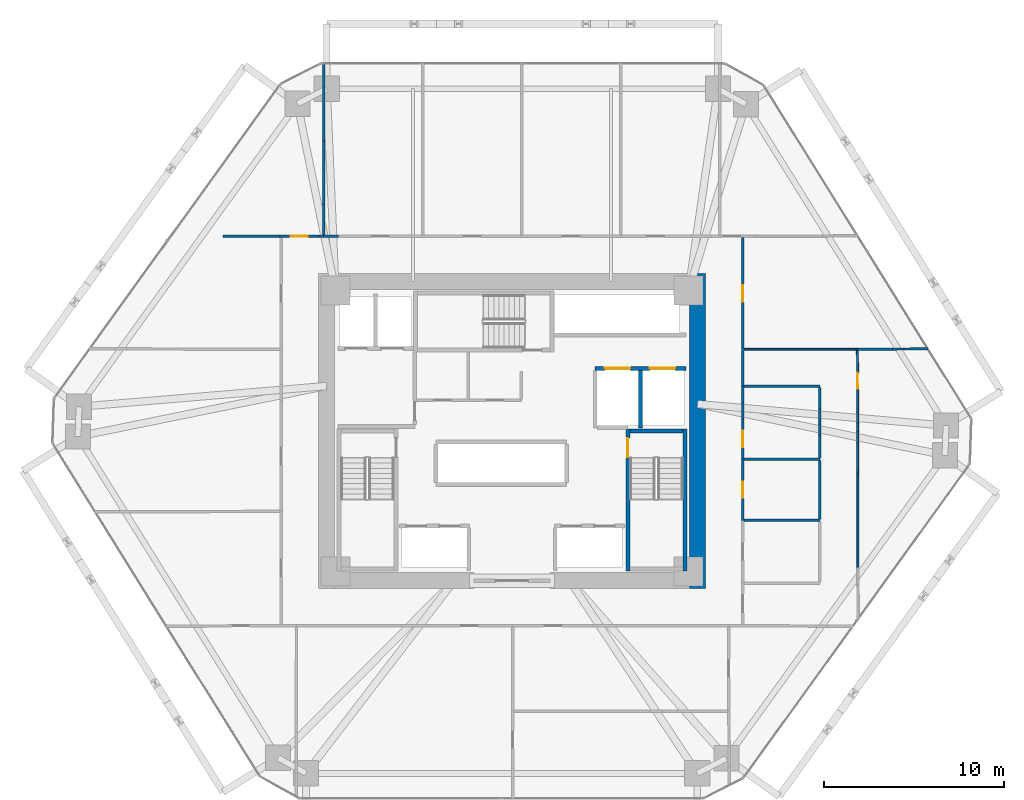
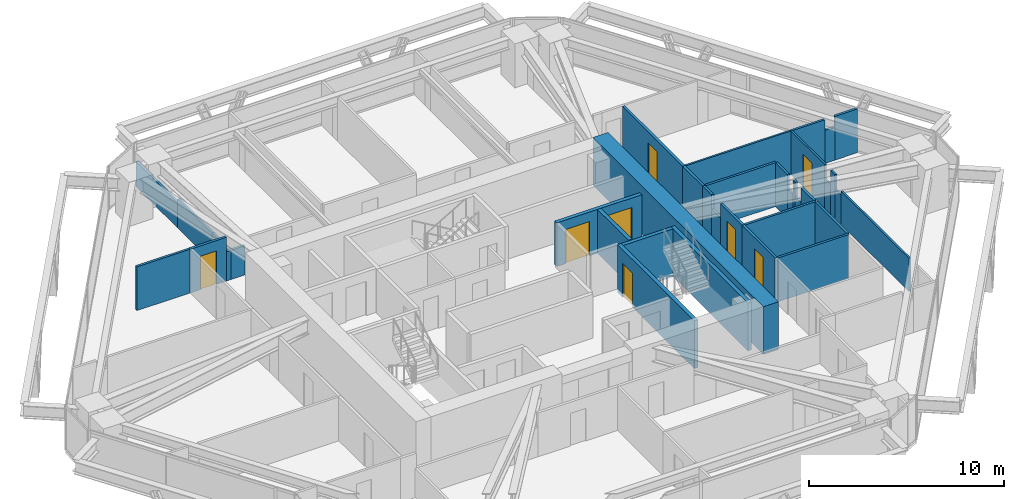
# One storey, part 13 of 15: 37 walls, 8 doors, 8 openings.
"""IFC4 building model written with IfcOpenShell, lengths in metres."""

from ifc_helpers import new_model, si_unit, direction, frame, frame_2d, origin, place, context, subcontext, project, spatial, rectangle, extrude, source, transform, mapped, material, layer, layer_set, type_object, type_shapes, element, fill, save


model = new_model("IFC4")

# Units and contexts
model_context = context("Model", 3, precision=1e-05, world=origin(), true_north=direction((0.0, 1.0)))
body_context = subcontext(model_context, "Body", "Model", "MODEL_VIEW")
ifc_project = project(units=[si_unit("LENGTHUNIT", "METRE"), si_unit("AREAUNIT", "SQUARE_METRE"), si_unit("VOLUMEUNIT", "CUBIC_METRE"), si_unit("PLANEANGLEUNIT", "RADIAN"), si_unit("MASSUNIT", "GRAM", prefix="KILO")], contexts=[model_context])

# Site, building, storey
site_placement = place(None, origin())
site = spatial("IfcSite", under=ifc_project, at=site_placement, CompositionType="ELEMENT")
building_placement = place(site_placement, origin())
building = spatial("IfcBuilding", under=site, at=building_placement, Name="Durnholm Broadcast Tower", CompositionType="ELEMENT")
storey_placement = place(building_placement, frame((0.0, 0.0, 75.300048828125)))
storey = spatial("IfcBuildingStorey", under=building, at=storey_placement, Name="L19", CompositionType="ELEMENT", Elevation=75.300048828125)

# Wall
ifc_material_1 = material(Name="Concrete C70/85", Category="concrete")
ifc_layer_1 = layer(ifc_material_1, 0.89990234375)
ifc_layer_set_1 = layer_set([ifc_layer_1], Name="Concrete C70/85")
wall_type_1 = type_object("IfcWallType", Name="WALL-CW-900", PredefinedType="SHEAR", material=ifc_layer_set_1)
wall_1_placement = place(storey_placement, frame((10.300048828125, -8.75, 0.0), z_axis=(0.0, 0.0, 1.0), x_axis=(0.0, 1.0, 0.0)))
element("IfcWall", 1, at=wall_1_placement, inside=storey, type_object=wall_type_1, Name="L19 central core shear wall CW-EAST", PredefinedType="SHEAR", context=body_context, shape_type="SweptSolid", body=[
    extrude(rectangle(XDim=17.5, YDim=0.89990234375, at=frame_2d((8.75, 0.0))), origin(), (0.0, 0.0, 1.0), 3.0),
])

# Wall, opening, door
ifc_material_2 = material(Name="Operable Acoustic Panel Partition", Category="aluminium")
ifc_layer_2 = layer(ifc_material_2, 0.110107421875)
ifc_layer_set_2 = layer_set([ifc_layer_2], Name="Operable Acoustic Panel Partition")
wall_type_2 = type_object("IfcWallType", Name="WALL-MOV-110", PredefinedType="MOVABLE", material=ifc_layer_set_2)
wall_2_placement = place(storey_placement, frame((19.177001953125, 4.5400390625, 0.0), z_axis=(0.0, 0.0, 1.0), x_axis=(0.002156066765, -0.999997675685, 0.0)))
wall_2 = element("IfcWall", 2, at=wall_2_placement, inside=storey, type_object=wall_type_2, Name="L19 room dividing partition 20.21", PredefinedType="MOVABLE", context=body_context, shape_type="SweptSolid", body=[
    extrude(rectangle(XDim=3.51025390625, YDim=0.110107421875, at=frame_2d((1.755126953125, 0.0))), origin(), (0.0, 0.0, 1.0), 2.744873046875),
])
opening_1_placement = place(wall_2_placement, frame((1.30517578125, 0.0, 0.0)))
opening_1 = element("IfcOpeningElement", 3, at=opening_1_placement, cuts=wall_2, Name="Opening DW-90L", PredefinedType="OPENING", context=body_context, shape_type="SweptSolid", body=[
    extrude(rectangle(XDim=0.89990234375, YDim=2.050048828125, at=frame_2d((0.449951171875, 1.02490234375))), frame((0.0, 0.06494140625, 0.0), z_axis=(0.0, -1.0, 0.0), x_axis=(1.0, 0.0, 0.0)), (0.0, 0.0, 1.0), 0.130126953125),
])
ifc_material_3 = material(Name="Laminate Restroom Door", Category="steel")
ifc_layer_3 = layer(ifc_material_3, 0.050048828125)
ifc_layer_set_3 = layer_set([ifc_layer_3], Name="Laminate Restroom Door")
door_type_1 = type_object("IfcDoorType", Name="DOOR-WC-900L", OperationType="NOTDEFINED", PredefinedType="DOOR", material=ifc_layer_set_3)
shared_shape_1 = source(origin(), body_context, "Body", "SweptSolid", [
    extrude(rectangle(XDim=0.89990234375, YDim=2.050048828125, at=frame_2d((0.449951171875, 1.02490234375))), frame((0.0, 0.02490234375, 0.0), z_axis=(0.0, -1.0, 0.0), x_axis=(1.0, 0.0, 0.0)), (0.0, 0.0, 1.0), 0.050048828125),
])
type_shapes(door_type_1, [shared_shape_1])
door_1_placement = place(opening_1_placement, origin())
door_1 = element("IfcDoor", 4, at=door_1_placement, inside=storey, type_object=door_type_1, Name="L19 Script Office connecting door", OperationType="SINGLE_SWING_LEFT", OverallHeight=2.050048828125, OverallWidth=0.89990234375, PredefinedType="DOOR", context=body_context, shape_type="MappedRepresentation", body=[
    mapped(shared_shape_1, transform((0.0, 0.0, 0.0), x_axis=(1.0, 0.0, 0.0), y_axis=(0.0, 1.0, 0.0), z_axis=(0.0, 0.0, 1.0), scale=1.0)),
])
fill(opening_1, door_1)

# Walls
wall_3_placement = place(storey_placement, frame((19.185791015625, 0.423583984375, 0.0), z_axis=(0.0, 0.0, 1.0), x_axis=(0.002668080151, -0.999996440668, 0.0)))
element("IfcWall", 5, at=wall_3_placement, inside=storey, type_object=wall_type_2, Name="L19 room dividing partition 20.21", PredefinedType="MOVABLE", context=body_context, shape_type="SweptSolid", body=[
    extrude(rectangle(XDim=0.45751953125, YDim=0.110107421875, at=frame_2d((0.228759765625, 0.0))), origin(), (0.0, 0.0, 1.0), 2.744873046875),
])
wall_4_placement = place(storey_placement, frame((19.188232421875, -0.65087890625, 0.0), z_axis=(0.0, 0.0, 1.0), x_axis=(0.002179256688, -0.999997625417, 0.0)))
element("IfcWall", 6, at=wall_4_placement, inside=storey, type_object=wall_type_2, Name="L19 room dividing partition 20.21", PredefinedType="MOVABLE", context=body_context, shape_type="SweptSolid", body=[
    extrude(rectangle(XDim=6.94580078125, YDim=0.110107421875, at=frame_2d((3.472900390625, 0.0))), origin(), (0.0, 0.0, 1.0), 2.079833984375),
])
wall_5_placement = place(storey_placement, frame((19.1845703125, 1.02978515625, 0.0), z_axis=(0.0, 0.0, 1.0), x_axis=(0.00201368903, -0.999997972526, 0.0)))
element("IfcWall", 7, at=wall_5_placement, inside=storey, type_object=wall_type_2, Name="L19 room dividing partition 20.21", PredefinedType="MOVABLE", context=body_context, shape_type="SweptSolid", body=[
    extrude(rectangle(XDim=0.606201171875, YDim=0.110107421875, at=frame_2d((0.30322265625, 0.0))), origin(), (0.0, 0.0, 1.0), 1.830078125),
])
wall_6_placement = place(storey_placement, frame((19.18701171875, -0.033935546875, 0.0), z_axis=(0.0, 0.0, 1.0), x_axis=(0.001978626914, -0.999998042516, 0.0)))
element("IfcWall", 8, at=wall_6_placement, inside=storey, type_object=wall_type_2, Name="L19 room dividing partition 20.21", PredefinedType="MOVABLE", context=body_context, shape_type="SweptSolid", body=[
    extrude(rectangle(XDim=0.616943359375, YDim=0.110107421875, at=frame_2d((0.30859375, 0.0))), origin(), (0.0, 0.0, 1.0), 1.830078125),
])
wall_7_placement = place(storey_placement, frame((12.888916015625, 4.5400390625, 0.0), z_axis=(0.0, 0.0, 1.0), x_axis=(1.0, 0.0, 0.0)))
element("IfcWall", 9, at=wall_7_placement, inside=storey, type_object=wall_type_2, Name="L19 room dividing partition 20.22", PredefinedType="MOVABLE", context=body_context, shape_type="SweptSolid", body=[
    extrude(rectangle(XDim=6.2880859375, YDim=0.110107421875, at=frame_2d((3.14404296875, 0.0))), origin(), (0.0, 0.0, 1.0), 2.744873046875),
])
ifc_material_4 = material(Name="Gypsum Metal Stud Partition", Category="concrete")
ifc_layer_4 = layer(ifc_material_4, 0.135009765625)
ifc_layer_set_4 = layer_set([ifc_layer_4], Name="Gypsum Metal Stud Partition")
wall_type_3 = type_object("IfcWallType", Name="WALL-PART-135", PredefinedType="PARTITIONING", material=ifc_layer_set_4)
wall_8_placement = place(storey_placement, frame((-10.4599609375, 16.098388671875, 0.0), z_axis=(0.0, 0.0, 1.0), x_axis=(0.0, -1.0, 0.0)))
element("IfcWall", 10, at=wall_8_placement, inside=storey, type_object=wall_type_3, Name="L19 room dividing partition 6.7", PredefinedType="PARTITIONING", context=body_context, shape_type="SweptSolid", body=[
    extrude(rectangle(XDim=3.534912109375, YDim=0.135009765625, at=frame_2d((1.767578125, 0.0))), origin(), (0.0, 0.0, 1.0), 1.830078125),
])
wall_9_placement = place(storey_placement, frame((-10.4599609375, 20.39990234375, 0.0), z_axis=(0.0, 0.0, 1.0), x_axis=(0.0, -1.0, 0.0)))
element("IfcWall", 11, at=wall_9_placement, inside=storey, type_object=wall_type_3, Name="L19 room dividing partition 6.7", PredefinedType="PARTITIONING", context=body_context, shape_type="SweptSolid", body=[
    extrude(rectangle(XDim=4.301513671875, YDim=0.135009765625, at=frame_2d((2.15087890625, 0.0))), origin(), (0.0, 0.0, 1.0), 1.5771484375),
])
wall_10_placement = place(storey_placement, frame((-10.4599609375, 12.5634765625, 0.0), z_axis=(0.0, 0.0, 1.0), x_axis=(0.0, -1.0, 0.0)))
element("IfcWall", 12, at=wall_10_placement, inside=storey, type_object=wall_type_3, Name="L19 room dividing partition 6.7", PredefinedType="PARTITIONING", context=body_context, shape_type="SweptSolid", body=[
    extrude(rectangle(XDim=1.674560546875, YDim=0.135009765625, at=frame_2d((0.83740234375, 0.0))), origin(), (0.0, 0.0, 1.0), 1.830078125),
])
wall_11_placement = place(storey_placement, frame((-12.889892578125, 10.81005859375, 0.0), z_axis=(0.0, 0.0, 1.0), x_axis=(-1.0, 0.0, 0.0)))
element("IfcWall", 13, at=wall_11_placement, inside=storey, type_object=wall_type_3, Name="L19 room dividing partition 6.19", PredefinedType="PARTITIONING", context=body_context, shape_type="SweptSolid", body=[
    extrude(rectangle(XDim=3.150146484375, YDim=0.135009765625, at=frame_2d((1.5751953125, 0.0))), origin(), (0.0, 0.0, 1.0), 2.744873046875),
])
wall_12_placement = place(storey_placement, frame((19.177001953125, 4.540283203125, 0.0), z_axis=(0.0, 0.0, 1.0), x_axis=(0.999985583847, 0.00536955296, 0.0)))
element("IfcWall", 14, at=wall_12_placement, inside=storey, type_object=wall_type_3, Name="L19 room dividing partition 21.22", PredefinedType="PARTITIONING", context=body_context, shape_type="SweptSolid", body=[
    extrude(rectangle(XDim=1.955078125, YDim=0.135009765625, at=frame_2d((0.9775390625, 0.0))), origin(), (0.0, 0.0, 1.0), 2.744873046875),
])
wall_13_placement = place(storey_placement, frame((21.75341796875, 4.553955078125, 0.0), z_axis=(0.0, 0.0, 1.0), x_axis=(0.999985895051, 0.005311280395, 0.0)))
element("IfcWall", 15, at=wall_13_placement, inside=storey, type_object=wall_type_3, Name="L19 room dividing partition 21.22", PredefinedType="PARTITIONING", context=body_context, shape_type="SweptSolid", body=[
    extrude(rectangle(XDim=1.3330078125, YDim=0.135009765625, at=frame_2d((0.66650390625, 0.0))), origin(), (0.0, 0.0, 1.0), 2.744873046875),
])
wall_14_placement = place(storey_placement, frame((21.132080078125, 4.55078125, 0.0), z_axis=(0.0, 0.0, 1.0), x_axis=(0.999986954142, 0.005107988371, 0.0)))
element("IfcWall", 16, at=wall_14_placement, inside=storey, type_object=wall_type_3, Name="L19 room dividing partition 21.22", PredefinedType="PARTITIONING", context=body_context, shape_type="SweptSolid", body=[
    extrude(rectangle(XDim=0.621337890625, YDim=0.135009765625, at=frame_2d((0.310546875, 0.0))), origin(), (0.0, 0.0, 1.0), 2.079833984375),
])

# Wall, opening, door
ifc_material_5 = material(Name="Acoustic Gypsum Stud Partition", Category="concrete")
ifc_layer_5 = layer(ifc_material_5, 0.14990234375)
ifc_layer_set_5 = layer_set([ifc_layer_5], Name="Acoustic Gypsum Stud Partition")
wall_type_4 = type_object("IfcWallType", Name="WALL-PART-150", PredefinedType="PARTITIONING", material=ifc_layer_set_5)
wall_15_placement = place(storey_placement, frame((-10.719970703125, 10.81005859375, 0.0), z_axis=(0.0, 0.0, 1.0), x_axis=(-1.0, 0.0, 0.0)))
wall_15 = element("IfcWall", 17, at=wall_15_placement, inside=storey, type_object=wall_type_4, Name="L19 Documentary Office 1 corridor partition", PredefinedType="PARTITIONING", context=body_context, shape_type="SweptSolid", body=[
    extrude(rectangle(XDim=2.169921875, YDim=0.14990234375, at=frame_2d((1.0849609375, 0.0))), origin(), (0.0, 0.0, 1.0), 2.744873046875),
])
opening_2_placement = place(wall_15_placement, frame((0.610107421875, 0.0, 0.0)))
opening_2 = element("IfcOpeningElement", 18, at=opening_2_placement, cuts=wall_15, Name="Opening DR-95R", PredefinedType="OPENING", context=body_context, shape_type="SweptSolid", body=[
    extrude(rectangle(XDim=0.949951171875, YDim=2.10009765625, at=frame_2d((0.47509765625, 1.050048828125))), frame((0.0, 0.0849609375, 0.0), z_axis=(0.0, -1.0, 0.0), x_axis=(1.0, 0.0, 0.0)), (0.0, 0.0, 1.0), 0.169921875),
])
ifc_material_6 = material(Name="Acoustic Oak Veneer Timber Door", Category="wood")
ifc_layer_6 = layer(ifc_material_6, 0.050048828125)
ifc_layer_set_6 = layer_set([ifc_layer_6], Name="Acoustic Oak Veneer Timber Door")
door_type_2 = type_object("IfcDoorType", Name="DOOR-RM-950R", OperationType="NOTDEFINED", PredefinedType="DOOR", material=ifc_layer_set_6)
shared_shape_2 = source(origin(), body_context, "Body", "SweptSolid", [
    extrude(rectangle(XDim=0.949951171875, YDim=2.10009765625, at=frame_2d((0.47509765625, 1.050048828125))), frame((0.0, 0.02490234375, 0.0), z_axis=(0.0, -1.0, 0.0), x_axis=(1.0, 0.0, 0.0)), (0.0, 0.0, 1.0), 0.050048828125),
])
type_shapes(door_type_2, [shared_shape_2])
door_2_placement = place(opening_2_placement, origin())
door_2 = element("IfcDoor", 19, at=door_2_placement, inside=storey, type_object=door_type_2, Name="L19 Documentary Office 1 entrance door", OperationType="SINGLE_SWING_RIGHT", OverallHeight=2.10009765625, OverallWidth=0.949951171875, PredefinedType="DOOR", context=body_context, shape_type="MappedRepresentation", body=[
    mapped(shared_shape_2, transform((0.0, 0.0, 0.0), x_axis=(1.0, 0.0, 0.0), y_axis=(0.0, 1.0, 0.0), z_axis=(0.0, 0.0, 1.0), scale=1.0)),
])
fill(opening_2, door_2)

# Walls
wall_16_placement = place(storey_placement, frame((-10.4599609375, 10.81005859375, 0.0), z_axis=(0.0, 0.0, 1.0), x_axis=(-1.0, 0.0, 0.0)))
element("IfcWall", 20, at=wall_16_placement, inside=storey, type_object=wall_type_4, Name="L19 Documentary Office 1 corridor partition", PredefinedType="PARTITIONING", context=body_context, shape_type="SweptSolid", body=[
    extrude(rectangle(XDim=0.260009765625, YDim=0.14990234375, at=frame_2d((0.1298828125, 0.0))), origin(), (0.0, 0.0, 1.0), 1.830078125),
])
wall_17_placement = place(storey_placement, frame((-9.62744140625, 10.81005859375, 0.0), z_axis=(0.0, 0.0, 1.0), x_axis=(-1.0, 0.0, 0.0)))
element("IfcWall", 21, at=wall_17_placement, inside=storey, type_object=wall_type_4, Name="L19 Documentary Office 2 corridor partition", PredefinedType="PARTITIONING", context=body_context, shape_type="SweptSolid", body=[
    extrude(rectangle(XDim=0.83251953125, YDim=0.14990234375, at=frame_2d((0.416259765625, 0.0))), origin(), (0.0, 0.0, 1.0), 1.830078125),
])
wall_18_placement = place(storey_placement, frame((12.81005859375, 2.489990234375, 0.0), z_axis=(0.0, 0.0, 1.0), x_axis=(0.0, 1.0, 0.0)))
element("IfcWall", 22, at=wall_18_placement, inside=storey, type_object=wall_type_4, Name="L19 Media Review Meeting Room corridor partition", PredefinedType="PARTITIONING", context=body_context, shape_type="SweptSolid", body=[
    extrude(rectangle(XDim=2.050048828125, YDim=0.14990234375, at=frame_2d((1.02490234375, 0.0))), origin(), (0.0, 0.0, 1.0), 2.744873046875),
])

# Wall, opening, door
wall_19_placement = place(storey_placement, frame((12.81005859375, 4.5400390625, 0.0), z_axis=(0.0, 0.0, 1.0), x_axis=(0.0, 1.0, 0.0)))
wall_19 = element("IfcWall", 23, at=wall_19_placement, inside=storey, type_object=wall_type_4, Name="L19 Archive Store corridor partition", PredefinedType="PARTITIONING", context=body_context, shape_type="SweptSolid", body=[
    extrude(rectangle(XDim=6.19091796875, YDim=0.14990234375, at=frame_2d((3.095458984375, 0.0))), origin(), (0.0, 0.0, 1.0), 2.744873046875),
])
opening_3_placement = place(wall_19_placement, frame((2.6455078125, 0.0, 0.0)))
opening_3 = element("IfcOpeningElement", 24, at=opening_3_placement, cuts=wall_19, Name="Opening DC-60R", PredefinedType="OPENING", context=body_context, shape_type="SweptSolid", body=[
    extrude(rectangle(XDim=0.89990234375, YDim=2.050048828125, at=frame_2d((0.449951171875, 1.02490234375))), frame((0.0, 0.0849609375, 0.0), z_axis=(0.0, -1.0, 0.0), x_axis=(1.0, 0.0, 0.0)), (0.0, 0.0, 1.0), 0.169921875),
])
ifc_material_7 = material(Name="Fire-Rated Core Service Door", Category="steel")
ifc_layer_7 = layer(ifc_material_7, 0.050048828125)
ifc_layer_set_7 = layer_set([ifc_layer_7], Name="Fire-Rated Core Service Door")
door_type_3 = type_object("IfcDoorType", Name="DOOR-CORE-FD60-R", OperationType="NOTDEFINED", PredefinedType="DOOR", material=ifc_layer_set_7)
shared_shape_3 = source(origin(), body_context, "Body", "SweptSolid", [
    extrude(rectangle(XDim=0.89990234375, YDim=2.050048828125, at=frame_2d((0.449951171875, 1.02490234375))), frame((0.0, 0.02490234375, 0.0), z_axis=(0.0, -1.0, 0.0), x_axis=(1.0, 0.0, 0.0)), (0.0, 0.0, 1.0), 0.050048828125),
])
type_shapes(door_type_3, [shared_shape_3])
door_3_placement = place(opening_3_placement, origin())
door_3 = element("IfcDoor", 25, at=door_3_placement, inside=storey, type_object=door_type_3, Name="L19 Archive Store entrance door", OperationType="SINGLE_SWING_RIGHT", OverallHeight=2.050048828125, OverallWidth=0.89990234375, PredefinedType="DOOR", context=body_context, shape_type="MappedRepresentation", body=[
    mapped(shared_shape_3, transform((0.0, 0.0, 0.0), x_axis=(1.0, 0.0, 0.0), y_axis=(0.0, 1.0, 0.0), z_axis=(0.0, 0.0, 1.0), scale=1.0)),
])
fill(opening_3, door_3)

# Wall, openings, doors
ifc_material_8 = material(Name="Concrete Blockwork C30/37", Category="masonry")
ifc_layer_8 = layer(ifc_material_8, 0.219970703125)
ifc_layer_set_8 = layer_set([ifc_layer_8], Name="Concrete Blockwork C30/37")
wall_type_5 = type_object("IfcWallType", Name="WALL-SHAFT-220", PredefinedType="SOLIDWALL", material=ifc_layer_set_8)
wall_20_placement = place(storey_placement, frame((4.60009765625, 3.47998046875, 0.0), z_axis=(0.0, 0.0, 1.0), x_axis=(1.0, 0.0, 0.0)))
wall_20 = element("IfcWall", 26, at=wall_20_placement, inside=storey, type_object=wall_type_5, Name="L19 freight service lifts north front wall", PredefinedType="SOLIDWALL", context=body_context, shape_type="SweptSolid", body=[
    extrude(rectangle(XDim=5.0498046875, YDim=0.219970703125, at=frame_2d((2.52490234375, 0.0))), origin(), (0.0, 0.0, 1.0), 2.744873046875),
])
opening_4_placement = place(wall_20_placement, frame((0.550048828125, 0.0, 0.0)))
opening_4 = element("IfcOpeningElement", 27, at=opening_4_placement, cuts=wall_20, Name="Opening LD-SVL-2", PredefinedType="OPENING", context=body_context, shape_type="SweptSolid", body=[
    extrude(rectangle(XDim=1.39990234375, YDim=2.14990234375, at=frame_2d((0.699951171875, 1.074951171875))), frame((0.0, 0.1201171875, 0.0), z_axis=(0.0, -1.0, 0.0), x_axis=(1.0, 0.0, 0.0)), (0.0, 0.0, 1.0), 0.239990234375),
])
opening_5_placement = place(wall_20_placement, frame((3.050048828125, 0.0, 0.0)))
opening_5 = element("IfcOpeningElement", 28, at=opening_5_placement, cuts=wall_20, Name="Opening LD-SVL-1", PredefinedType="OPENING", context=body_context, shape_type="SweptSolid", body=[
    extrude(rectangle(XDim=1.39990234375, YDim=2.14990234375, at=frame_2d((0.699951171875, 1.074951171875))), frame((0.0, 0.1201171875, 0.0), z_axis=(0.0, -1.0, 0.0), x_axis=(1.0, 0.0, 0.0)), (0.0, 0.0, 1.0), 0.239990234375),
])
ifc_material_9 = material(Name="Freight Elevator Bi-Parting Sliding Landing Door", Category="steel")
ifc_layer_9 = layer(ifc_material_9, 0.050048828125)
ifc_layer_set_9 = layer_set([ifc_layer_9], Name="Freight Elevator Bi-Parting Sliding Landing Door")
door_type_4 = type_object("IfcDoorType", Name="DOOR-LIFT-SVL", OperationType="DOUBLE_DOOR_SLIDING", PredefinedType="DOOR", material=ifc_layer_set_9)
shared_shape_4 = source(origin(), body_context, "Body", "SweptSolid", [
    extrude(rectangle(XDim=1.39990234375, YDim=2.14990234375, at=frame_2d((0.699951171875, 1.074951171875))), frame((0.0, 0.02490234375, 0.0), z_axis=(0.0, -1.0, 0.0), x_axis=(1.0, 0.0, 0.0)), (0.0, 0.0, 1.0), 0.050048828125),
])
type_shapes(door_type_4, [shared_shape_4])
door_4_placement = place(opening_4_placement, origin())
door_4 = element("IfcDoor", 29, at=door_4_placement, inside=storey, type_object=door_type_4, Name="L19 freight service elevator SVL-2 sliding landing door", OperationType="DOUBLE_DOOR_SLIDING", OverallHeight=2.14990234375, OverallWidth=1.39990234375, PredefinedType="DOOR", context=body_context, shape_type="MappedRepresentation", body=[
    mapped(shared_shape_4, transform((0.0, 0.0, 0.0), x_axis=(1.0, 0.0, 0.0), y_axis=(0.0, 1.0, 0.0), z_axis=(0.0, 0.0, 1.0), scale=1.0)),
])
fill(opening_4, door_4)
door_5_placement = place(opening_5_placement, origin())
door_5 = element("IfcDoor", 30, at=door_5_placement, inside=storey, type_object=door_type_4, Name="L19 freight service elevator SVL-1 sliding landing door", OperationType="DOUBLE_DOOR_SLIDING", OverallHeight=2.14990234375, OverallWidth=1.39990234375, PredefinedType="DOOR", context=body_context, shape_type="MappedRepresentation", body=[
    mapped(shared_shape_4, transform((0.0, 0.0, 0.0), x_axis=(1.0, 0.0, 0.0), y_axis=(0.0, 1.0, 0.0), z_axis=(0.0, 0.0, 1.0), scale=1.0)),
])
fill(opening_5, door_5)

# Walls
wall_21_placement = place(storey_placement, frame((7.1201171875, 0.179931640625, 0.0), z_axis=(0.0, 0.0, 1.0), x_axis=(0.0, 1.0, 0.0)))
element("IfcWall", 31, at=wall_21_placement, inside=storey, type_object=wall_type_5, Name="L19 freight service lifts divider wall", PredefinedType="SOLIDWALL", context=body_context, shape_type="SweptSolid", body=[
    extrude(rectangle(XDim=3.18603515625, YDim=0.219970703125, at=frame_2d((1.593017578125, 0.0))), origin(), (0.0, 0.0, 1.0), 2.744873046875),
])
ifc_material_10 = material(Name="Concrete C50/60", Category="concrete")
ifc_layer_10 = layer(ifc_material_10, 0.219970703125)
ifc_layer_set_10 = layer_set([ifc_layer_10], Name="Concrete C50/60")
wall_type_6 = type_object("IfcWallType", Name="WALL-SW-220", PredefinedType="SHEAR", material=ifc_layer_set_10)
wall_22_placement = place(storey_placement, frame((9.610107421875, -7.77001953125, -0.239990234375), z_axis=(0.0, 0.0, 1.0), x_axis=(0.0, 1.0, 0.0)))
element("IfcWall", 32, at=wall_22_placement, inside=storey, type_object=wall_type_6, Name="L19 stair ST-2 structural shaft wall E", PredefinedType="SHEAR", context=body_context, shape_type="SweptSolid", body=[
    extrude(rectangle(XDim=7.89013671875, YDim=0.219970703125, at=frame_2d((3.945068359375, 0.0))), origin(), (0.0, 0.0, 1.0), 3.0),
])

# Wall, opening, door
wall_23_placement = place(storey_placement, frame((6.429931640625, 0.1201171875, -0.239990234375), z_axis=(0.0, 0.0, 1.0), x_axis=(0.0, -1.0, 0.0)))
wall_23 = element("IfcWall", 33, at=wall_23_placement, inside=storey, type_object=wall_type_6, Name="L19 stair ST-2 structural shaft wall W", PredefinedType="SHEAR", context=body_context, shape_type="SweptSolid", body=[
    extrude(rectangle(XDim=7.89013671875, YDim=0.219970703125, at=frame_2d((3.945068359375, 0.0))), origin(), (0.0, 0.0, 1.0), 3.0),
])
opening_6_placement = place(wall_23_placement, frame((0.52001953125, 0.0, 0.0)))
opening_6 = element("IfcOpeningElement", 34, at=opening_6_placement, cuts=wall_23, Name="Opening DS-90R", PredefinedType="OPENING", context=body_context, shape_type="SweptSolid", body=[
    extrude(rectangle(XDim=1.050048828125, YDim=2.14990234375, at=frame_2d((0.52490234375, 1.074951171875))), frame((0.0, 0.1201171875, 0.0), z_axis=(0.0, -1.0, 0.0), x_axis=(1.0, 0.0, 0.0)), (0.0, 0.0, 1.0), 0.239990234375),
])
ifc_material_11 = material(Name="Fire-Rated Steel Door", Category="steel")
ifc_layer_11 = layer(ifc_material_11, 0.050048828125)
ifc_layer_set_11 = layer_set([ifc_layer_11], Name="Fire-Rated Steel Door")
door_type_5 = type_object("IfcDoorType", Name="DOOR-ST-FD90-R", OperationType="NOTDEFINED", PredefinedType="DOOR", material=ifc_layer_set_11)
shared_shape_5 = source(origin(), body_context, "Body", "SweptSolid", [
    extrude(rectangle(XDim=1.050048828125, YDim=2.14990234375, at=frame_2d((0.52490234375, 1.074951171875))), frame((0.0, 0.02490234375, 0.0), z_axis=(0.0, -1.0, 0.0), x_axis=(1.0, 0.0, 0.0)), (0.0, 0.0, 1.0), 0.050048828125),
])
type_shapes(door_type_5, [shared_shape_5])
door_6_placement = place(opening_6_placement, origin())
door_6 = element("IfcDoor", 35, at=door_6_placement, inside=storey, type_object=door_type_5, Name="L19 exit stair ST-2 fire door", OperationType="SINGLE_SWING_RIGHT", OverallHeight=2.14990234375, OverallWidth=1.050048828125, PredefinedType="DOOR", context=body_context, shape_type="MappedRepresentation", body=[
    mapped(shared_shape_5, transform((0.0, 0.0, 0.0), x_axis=(1.0, 0.0, 0.0), y_axis=(0.0, 1.0, 0.0), z_axis=(0.0, 0.0, 1.0), scale=1.0)),
])
fill(opening_6, door_6)

# Wall
wall_24_placement = place(storey_placement, frame((9.5, 0.010009765625, -0.239990234375), z_axis=(0.0, 0.0, 1.0), x_axis=(-1.0, 0.0, 0.0)))
element("IfcWall", 36, at=wall_24_placement, inside=storey, type_object=wall_type_6, Name="L19 stair ST-2 structural shaft wall N", PredefinedType="SHEAR", context=body_context, shape_type="SweptSolid", body=[
    extrude(rectangle(XDim=2.9599609375, YDim=0.219970703125, at=frame_2d((1.47998046875, 0.0))), origin(), (0.0, 0.0, 1.0), 3.0),
])

# Wall, opening, door
ifc_material_12 = material(Name="Moisture-Resistant Tile Partition", Category="concrete")
ifc_layer_12 = layer(ifc_material_12, 0.139892578125)
ifc_layer_set_12 = layer_set([ifc_layer_12], Name="Moisture-Resistant Tile Partition")
wall_type_7 = type_object("IfcWallType", Name="WALL-WC-140", PredefinedType="PARTITIONING", material=ifc_layer_set_12)
wall_25_placement = place(storey_placement, frame((12.81005859375, -4.9599609375, 0.0), z_axis=(0.0, 0.0, 1.0), x_axis=(0.0, 1.0, 0.0)))
wall_25 = element("IfcWall", 37, at=wall_25_placement, inside=storey, type_object=wall_type_7, Name="L19 Women's Restroom corridor partition", PredefinedType="PARTITIONING", context=body_context, shape_type="SweptSolid", body=[
    extrude(rectangle(XDim=3.39990234375, YDim=0.139892578125, at=frame_2d((1.699951171875, 0.0))), origin(), (0.0, 0.0, 1.0), 2.744873046875),
])
opening_7_placement = place(wall_25_placement, frame((1.25, 0.0, 0.0)))
opening_7 = element("IfcOpeningElement", 38, at=opening_7_placement, cuts=wall_25, Name="Opening DW-90R", PredefinedType="OPENING", context=body_context, shape_type="SweptSolid", body=[
    extrude(rectangle(XDim=0.89990234375, YDim=2.050048828125, at=frame_2d((0.449951171875, 1.02490234375))), frame((0.0, 0.080078125, 0.0), z_axis=(0.0, -1.0, 0.0), x_axis=(1.0, 0.0, 0.0)), (0.0, 0.0, 1.0), 0.159912109375),
])
ifc_layer_13 = layer(ifc_material_3, 0.050048828125)
ifc_layer_set_13 = layer_set([ifc_layer_13], Name="Laminate Restroom Door")
door_type_6 = type_object("IfcDoorType", Name="DOOR-WC-900R", OperationType="NOTDEFINED", PredefinedType="DOOR", material=ifc_layer_set_13)
shared_shape_6 = source(origin(), body_context, "Body", "SweptSolid", [
    extrude(rectangle(XDim=0.89990234375, YDim=2.050048828125, at=frame_2d((0.449951171875, 1.02490234375))), frame((0.0, 0.02490234375, 0.0), z_axis=(0.0, -1.0, 0.0), x_axis=(1.0, 0.0, 0.0)), (0.0, 0.0, 1.0), 0.050048828125),
])
type_shapes(door_type_6, [shared_shape_6])
door_7_placement = place(opening_7_placement, origin())
door_7 = element("IfcDoor", 39, at=door_7_placement, inside=storey, type_object=door_type_6, Name="L19 Women's Restroom entrance door", OperationType="SINGLE_SWING_RIGHT", OverallHeight=2.050048828125, OverallWidth=0.89990234375, PredefinedType="DOOR", context=body_context, shape_type="MappedRepresentation", body=[
    mapped(shared_shape_6, transform((0.0, 0.0, 0.0), x_axis=(1.0, 0.0, 0.0), y_axis=(0.0, 1.0, 0.0), z_axis=(0.0, 0.0, 1.0), scale=1.0)),
])
fill(opening_7, door_7)

wall_26_placement = place(storey_placement, frame((12.81005859375, -1.56005859375, 0.0), z_axis=(0.0, 0.0, 1.0), x_axis=(0.0, 1.0, 0.0)))
wall_26 = element("IfcWall", 40, at=wall_26_placement, inside=storey, type_object=wall_type_7, Name="L19 Accessible Restroom corridor partition", PredefinedType="PARTITIONING", context=body_context, shape_type="SweptSolid", body=[
    extrude(rectangle(XDim=2.231201171875, YDim=0.139892578125, at=frame_2d((1.11572265625, 0.0))), origin(), (0.0, 0.0, 1.0), 2.744873046875),
])
opening_8_placement = place(wall_26_placement, frame((0.66552734375, 0.0, 0.0)))
opening_8 = element("IfcOpeningElement", 41, at=opening_8_placement, cuts=wall_26, Name="Opening DW-90L", PredefinedType="OPENING", context=body_context, shape_type="SweptSolid", body=[
    extrude(rectangle(XDim=0.89990234375, YDim=2.050048828125, at=frame_2d((0.449951171875, 1.02490234375))), frame((0.0, 0.080078125, 0.0), z_axis=(0.0, -1.0, 0.0), x_axis=(1.0, 0.0, 0.0)), (0.0, 0.0, 1.0), 0.159912109375),
])
door_8_placement = place(opening_8_placement, origin())
door_8 = element("IfcDoor", 42, at=door_8_placement, inside=storey, type_object=door_type_1, Name="L19 Accessible Restroom entrance door", OperationType="SINGLE_SWING_LEFT", OverallHeight=2.050048828125, OverallWidth=0.89990234375, PredefinedType="DOOR", context=body_context, shape_type="MappedRepresentation", body=[
    mapped(shared_shape_1, transform((0.0, 0.0, 0.0), x_axis=(1.0, 0.0, 0.0), y_axis=(0.0, 1.0, 0.0), z_axis=(0.0, 0.0, 1.0), scale=1.0)),
])
fill(opening_8, door_8)

# Walls
wall_27_placement = place(storey_placement, frame((12.81005859375, 1.584716796875, 0.0), z_axis=(0.0, 0.0, 1.0), x_axis=(0.0, 1.0, 0.0)))
element("IfcWall", 43, at=wall_27_placement, inside=storey, type_object=wall_type_7, Name="L19 Accessible Restroom corridor partition", PredefinedType="PARTITIONING", context=body_context, shape_type="SweptSolid", body=[
    extrude(rectangle(XDim=0.9052734375, YDim=0.139892578125, at=frame_2d((0.45263671875, 0.0))), origin(), (0.0, 0.0, 1.0), 2.744873046875),
])
wall_28_placement = place(storey_placement, frame((12.81005859375, 0.671142578125, 0.0), z_axis=(0.0, 0.0, 1.0), x_axis=(0.0, 1.0, 0.0)))
element("IfcWall", 44, at=wall_28_placement, inside=storey, type_object=wall_type_7, Name="L19 Accessible Restroom corridor partition", PredefinedType="PARTITIONING", context=body_context, shape_type="SweptSolid", body=[
    extrude(rectangle(XDim=0.91357421875, YDim=0.139892578125, at=frame_2d((0.456787109375, 0.0))), origin(), (0.0, 0.0, 1.0), 1.830078125),
])
for number, where, z_axis, x_axis, name in (
    (45, (12.884033203125, -4.9599609375, 0.0), (0.0, 0.0, 1.0), (1.0, 0.0, 0.0), "L19 room dividing partition 3.4"),
    (46, (12.884033203125, -1.56005859375, 0.0), (0.0, 0.0, 1.0), (1.0, 0.0, 0.0), "L19 room dividing partition 4.5"),
):
    element("IfcWall", number, at=place(storey_placement, frame(where, z_axis=z_axis, x_axis=x_axis)), inside=storey, type_object=wall_type_7, Name=name, PredefinedType="PARTITIONING", context=body_context, shape_type="SweptSolid", body=[
        extrude(rectangle(XDim=4.2060546875, YDim=0.139892578125, at=frame_2d((2.10302734375, 0.0))), origin(), (0.0, 0.0, 1.0), 2.744873046875),
    ])
wall_29_placement = place(storey_placement, frame((17.090087890625, -1.634033203125, 0.0), z_axis=(0.0, 0.0, 1.0), x_axis=(0.0, -1.0, 0.0)))
element("IfcWall", 47, at=wall_29_placement, inside=storey, type_object=wall_type_7, Name="L19 room dividing partition 4.20", PredefinedType="PARTITIONING", context=body_context, shape_type="SweptSolid", body=[
    extrude(rectangle(XDim=3.251953125, YDim=0.139892578125, at=frame_2d((1.6259765625, 0.0))), origin(), (0.0, 0.0, 1.0), 2.744873046875),
])
wall_30_placement = place(storey_placement, frame((12.888916015625, 2.489990234375, 0.0), z_axis=(0.0, 0.0, 1.0), x_axis=(1.0, 0.0, 0.0)))
element("IfcWall", 48, at=wall_30_placement, inside=storey, type_object=wall_type_7, Name="L19 room dividing partition 5.20", PredefinedType="PARTITIONING", context=body_context, shape_type="SweptSolid", body=[
    extrude(rectangle(XDim=4.201171875, YDim=0.139892578125, at=frame_2d((2.1005859375, 0.0))), origin(), (0.0, 0.0, 1.0), 2.744873046875),
])
wall_31_placement = place(storey_placement, frame((17.090087890625, 2.416015625, 0.0), z_axis=(0.0, 0.0, 1.0), x_axis=(0.0, -1.0, 0.0)))
element("IfcWall", 49, at=wall_31_placement, inside=storey, type_object=wall_type_7, Name="L19 room dividing partition 5.20", PredefinedType="PARTITIONING", context=body_context, shape_type="SweptSolid", body=[
    extrude(rectangle(XDim=1.203857421875, YDim=0.139892578125, at=frame_2d((0.60205078125, 0.0))), origin(), (0.0, 0.0, 1.0), 2.744873046875),
])
wall_32_placement = place(storey_placement, frame((17.090087890625, 0.60595703125, 0.0), z_axis=(0.0, 0.0, 1.0), x_axis=(0.0, -1.0, 0.0)))
element("IfcWall", 50, at=wall_32_placement, inside=storey, type_object=wall_type_7, Name="L19 room dividing partition 5.20", PredefinedType="PARTITIONING", context=body_context, shape_type="SweptSolid", body=[
    extrude(rectangle(XDim=0.205078125, YDim=0.139892578125, at=frame_2d((0.1025390625, 0.0))), origin(), (0.0, 0.0, 1.0), 2.744873046875),
])
wall_33_placement = place(storey_placement, frame((17.090087890625, -0.216064453125, 0.0), z_axis=(0.0, 0.0, 1.0), x_axis=(0.0, -1.0, 0.0)))
element("IfcWall", 51, at=wall_33_placement, inside=storey, type_object=wall_type_7, Name="L19 room dividing partition 5.20", PredefinedType="PARTITIONING", context=body_context, shape_type="SweptSolid", body=[
    extrude(rectangle(XDim=1.27001953125, YDim=0.139892578125, at=frame_2d((0.635009765625, 0.0))), origin(), (0.0, 0.0, 1.0), 2.744873046875),
])
wall_34_placement = place(storey_placement, frame((17.090087890625, 1.212158203125, 0.0), z_axis=(0.0, 0.0, 1.0), x_axis=(0.0, -1.0, 0.0)))
element("IfcWall", 52, at=wall_34_placement, inside=storey, type_object=wall_type_7, Name="L19 room dividing partition 5.20", PredefinedType="PARTITIONING", context=body_context, shape_type="SweptSolid", body=[
    extrude(rectangle(XDim=0.606201171875, YDim=0.139892578125, at=frame_2d((0.30322265625, 0.0))), origin(), (0.0, 0.0, 1.0), 1.830078125),
])
wall_35_placement = place(storey_placement, frame((17.090087890625, 0.40087890625, 0.0), z_axis=(0.0, 0.0, 1.0), x_axis=(0.0, -1.0, 0.0)))
element("IfcWall", 53, at=wall_35_placement, inside=storey, type_object=wall_type_7, Name="L19 room dividing partition 5.20", PredefinedType="PARTITIONING", context=body_context, shape_type="SweptSolid", body=[
    extrude(rectangle(XDim=0.616943359375, YDim=0.139892578125, at=frame_2d((0.30859375, 0.0))), origin(), (0.0, 0.0, 1.0), 1.830078125),
])

save(model, "model.ifc")
